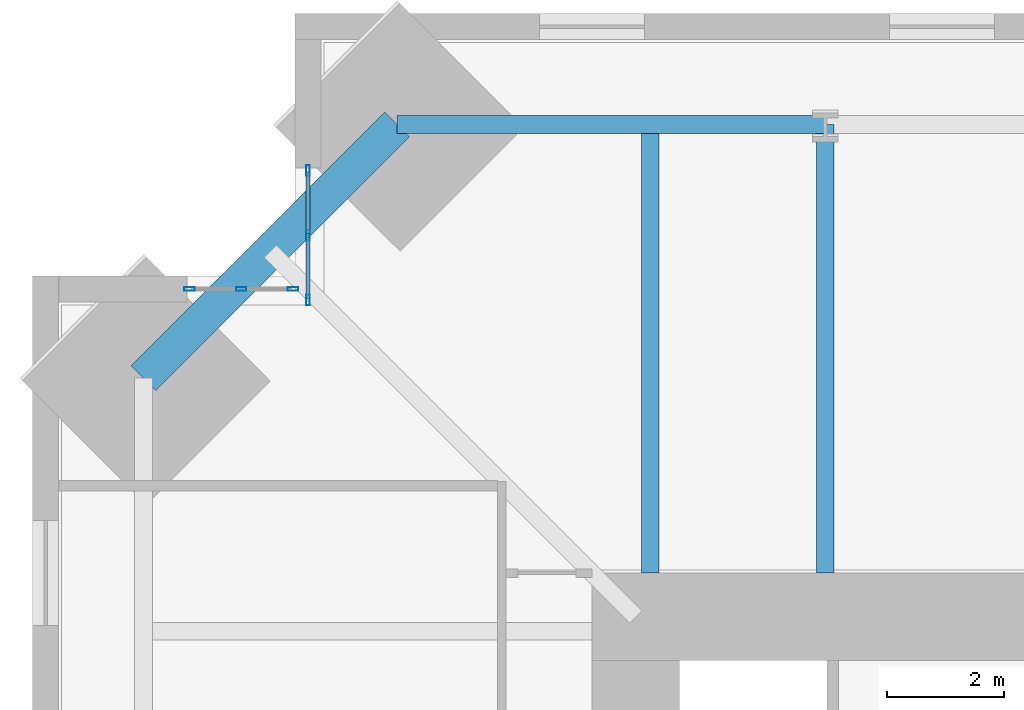
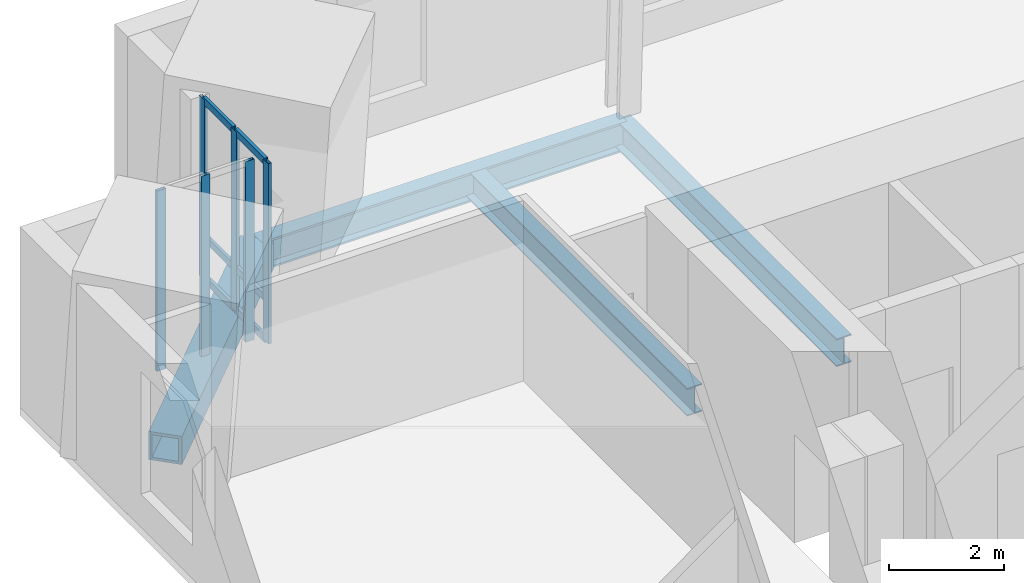
# One storey, part 6 of 16: 12 members, 4 beams, 2 elements without a shape of their own.
"""IFC4 building model written with IfcOpenShell, lengths in metres."""

from ifc_helpers import new_model, si_unit, direction, frame, origin, origin_2d, place, context, subcontext, project, spatial, hollow_rectangle, i_section, extrude, material, material_profile, profile_set, type_object, element, aggregate, save


model = new_model("IFC4")

# Units and contexts
model_context = context("Model", 3, precision=1e-05, world=origin(), true_north=direction((0.0, 1.0)))
body_context = subcontext(model_context, "Body", "Model", "MODEL_VIEW")
ifc_project = project(units=[si_unit("LENGTHUNIT", "METRE"), si_unit("AREAUNIT", "SQUARE_METRE"), si_unit("VOLUMEUNIT", "CUBIC_METRE"), si_unit("PLANEANGLEUNIT", "RADIAN"), si_unit("MASSUNIT", "GRAM", prefix="KILO")], contexts=[model_context])

# Site, building, storey
site_placement = place(None, origin())
site = spatial("IfcSite", under=ifc_project, at=site_placement, CompositionType="ELEMENT")
building_placement = place(site_placement, origin())
building = spatial("IfcBuilding", under=site, at=building_placement, Name="Peilmerk Tower", CompositionType="ELEMENT")
storey_placement = place(building_placement, frame((0.0, 0.0, 277.800048828125)))
storey = spatial("IfcBuildingStorey", under=building, at=storey_placement, Name="L62", CompositionType="ELEMENT", Elevation=277.800048828125)

# Beams
ifc_material_1 = material(Name="Steel S460", Category="steel")
ifc_material_profile_1 = material_profile(ifc_material_1, hollow_rectangle(XDim=0.60009765625, YDim=0.60009765625, WallThickness=0.06005859375, at=origin_2d()), Name="BOX 600x600x60")
ifc_profile_set_1 = profile_set([ifc_material_profile_1], Name="Steel S460")
beam_type_1 = type_object("IfcBeamType", Name="B20 BOX 600x600x60 notch beam", PredefinedType="SPANDREL", material=ifc_profile_set_1)
beam_1_placement = place(storey_placement, frame((-19.695068359375, 15.34521484375, -0.469970703125), z_axis=(0.707106781187, 0.707106781187, 0.0), x_axis=(-0.707106781187, 0.707106781187, 0.0)))
element("IfcBeam", 1, at=beam_1_placement, inside=storey, type_object=beam_type_1, Name="Notch beam L62", PredefinedType="SPANDREL", context=body_context, shape_type="SweptSolid", body=[
    extrude(hollow_rectangle(XDim=0.60009765625, YDim=0.60009765625, WallThickness=0.06005859375, at=origin_2d()), origin(), (0.0, 0.0, 1.0), 6.151611328125),
])
ifc_material_2 = material(Name="Steel S355", Category="steel")
ifc_material_profile_2 = material_profile(ifc_material_2, i_section(OverallWidth=0.300048828125, OverallDepth=0.590087890625, WebThickness=0.012939453125, FlangeThickness=0.02490234375, at=origin_2d()), Name="HEA 600")
ifc_profile_set_2 = profile_set([ifc_material_profile_2], Name="Steel S355")
beam_type_2 = type_object("IfcBeamType", Name="B27 HEA 600 floor beam", PredefinedType="BEAM", material=ifc_profile_set_2)
for number, where, z_axis, x_axis, name in (
    (2, (-8.0, 12.0, -0.465087890625), (0.0, 1.0, 0.0), (-1.0, 0.0, 0.0), "Floor beam L62"),
    (3, (-11.0, 12.0, -0.465087890625), (0.0, 1.0, 0.0), (-1.0, 0.0, 0.0), "Floor beam L62"),
):
    element("IfcBeam", number, at=place(storey_placement, frame(where, z_axis=z_axis, x_axis=x_axis)), inside=storey, type_object=beam_type_2, Name=name, PredefinedType="BEAM", context=body_context, shape_type="SweptSolid", body=[
        extrude(i_section(OverallWidth=0.300048828125, OverallDepth=0.590087890625, WebThickness=0.012939453125, FlangeThickness=0.02490234375, at=origin_2d()), origin(), (0.0, 0.0, 1.0), 7.695068359375),
    ])
ifc_material_profile_3 = material_profile(ifc_material_2, i_section(OverallWidth=0.304931640625, OverallDepth=0.6201171875, WebThickness=0.02099609375, FlangeThickness=0.0400390625, at=origin_2d()), Name="HEM 600")
ifc_profile_set_3 = profile_set([ifc_material_profile_3], Name="Steel S355")
beam_type_3 = type_object("IfcBeamType", Name="B31 HEM 600 edge beam", PredefinedType="SPANDREL", material=ifc_profile_set_3)
beam_2_placement = place(storey_placement, frame((-8.0, 19.695068359375, -0.47998046875), z_axis=(-1.0, 0.0, 0.0), x_axis=(0.0, -1.0, 0.0)))
element("IfcBeam", 4, at=beam_2_placement, inside=storey, type_object=beam_type_3, Name="Edge beam L62", PredefinedType="SPANDREL", context=body_context, shape_type="SweptSolid", body=[
    extrude(i_section(OverallWidth=0.304931640625, OverallDepth=0.6201171875, WebThickness=0.02099609375, FlangeThickness=0.0400390625, at=origin_2d()), origin(), (0.0, 0.0, 1.0), 7.34521484375),
])

# Curtain wall, members
ifc_material_3 = material(Name="Aluminium stick curtain wall", Category="aluminium")
curtain_wall_type = type_object("IfcCurtainWallType", Name="CW4 stick curtain wall, 2250 module", PredefinedType="NOTDEFINED", material=ifc_material_3)
curtain_wall_1_placement = place(storey_placement, origin())
curtain_wall_1 = element("IfcCurtainWall", 5, at=curtain_wall_1_placement, inside=storey, type_object=curtain_wall_type, Name="Curtain wall CW4 NWA L62", PredefinedType="NOTDEFINED")
ifc_material_4 = material(Name="Aluminium EN AW-6063 T6", Category="aluminium")
ifc_material_profile_4 = material_profile(ifc_material_4, hollow_rectangle(XDim=0.06494140625, YDim=0.179931640625, WallThickness=0.0029296875, at=origin_2d()), Name="AL 180x65x3")
ifc_profile_set_4 = profile_set([ifc_material_profile_4], Name="Aluminium EN AW-6063 T6")
member_type_1 = type_object("IfcMemberType", Name="CW4-M AL 180x65x3 mullion", PredefinedType="MULLION", material=ifc_profile_set_4)
member_1_placement = place(storey_placement, frame((-16.875, 16.6826171875, 0.0), z_axis=(0.0, 0.0, 1.0), x_axis=(-1.0, 0.0, 0.0)))
member_1 = element("IfcMember", 6, at=member_1_placement, type_object=member_type_1, Name="CW4 mullion 1", PredefinedType="MULLION", context=body_context, shape_type="SweptSolid", body=[
    extrude(hollow_rectangle(XDim=0.06494140625, YDim=0.179931640625, WallThickness=0.0029296875, at=origin_2d()), origin(), (0.0, 0.0, 1.0), 3.829833984375),
])
member_2_placement = place(storey_placement, frame((-16.875, 17.79443359375, 0.0), z_axis=(0.0, 0.0, 1.0), x_axis=(-1.0, 0.0, 0.0)))
member_2 = element("IfcMember", 7, at=member_2_placement, type_object=member_type_1, Name="CW4 mullion 2", PredefinedType="MULLION", context=body_context, shape_type="SweptSolid", body=[
    extrude(hollow_rectangle(XDim=0.06494140625, YDim=0.179931640625, WallThickness=0.0029296875, at=origin_2d()), origin(), (0.0, 0.0, 1.0), 3.829833984375),
])
member_3_placement = place(storey_placement, frame((-16.875, 18.90625, 0.0), z_axis=(0.0, 0.0, 1.0), x_axis=(-1.0, 0.0, 0.0)))
member_3 = element("IfcMember", 8, at=member_3_placement, type_object=member_type_1, Name="CW4 mullion 3", PredefinedType="MULLION", context=body_context, shape_type="SweptSolid", body=[
    extrude(hollow_rectangle(XDim=0.06494140625, YDim=0.179931640625, WallThickness=0.0029296875, at=origin_2d()), origin(), (0.0, 0.0, 1.0), 3.829833984375),
])

curtain_wall_2_placement = place(storey_placement, origin())
curtain_wall_2 = element("IfcCurtainWall", 9, at=curtain_wall_2_placement, inside=storey, type_object=curtain_wall_type, Name="Curtain wall CW4 NWB L62", PredefinedType="NOTDEFINED")
member_4_placement = place(storey_placement, frame((-17.132568359375, 16.875, 0.0), z_axis=(0.0, 0.0, 1.0), x_axis=(0.0, -1.0, 0.0)))
member_4 = element("IfcMember", 10, at=member_4_placement, type_object=member_type_1, Name="CW4 mullion 1", PredefinedType="MULLION", context=body_context, shape_type="SweptSolid", body=[
    extrude(hollow_rectangle(XDim=0.06494140625, YDim=0.179931640625, WallThickness=0.0029296875, at=origin_2d()), origin(), (0.0, 0.0, 1.0), 3.829833984375),
])
member_5_placement = place(storey_placement, frame((-18.019287109375, 16.875, 0.0), z_axis=(0.0, 0.0, 1.0), x_axis=(0.0, -1.0, 0.0)))
member_5 = element("IfcMember", 11, at=member_5_placement, type_object=member_type_1, Name="CW4 mullion 2", PredefinedType="MULLION", context=body_context, shape_type="SweptSolid", body=[
    extrude(hollow_rectangle(XDim=0.06494140625, YDim=0.179931640625, WallThickness=0.0029296875, at=origin_2d()), origin(), (0.0, 0.0, 1.0), 3.829833984375),
])
member_6_placement = place(storey_placement, frame((-18.90625, 16.875, 0.0), z_axis=(0.0, 0.0, 1.0), x_axis=(0.0, -1.0, 0.0)))
member_6 = element("IfcMember", 12, at=member_6_placement, type_object=member_type_1, Name="CW4 mullion 3", PredefinedType="MULLION", context=body_context, shape_type="SweptSolid", body=[
    extrude(hollow_rectangle(XDim=0.06494140625, YDim=0.179931640625, WallThickness=0.0029296875, at=origin_2d()), origin(), (0.0, 0.0, 1.0), 3.829833984375),
])
aggregate(curtain_wall_2, [member_4, member_5, member_6])

# Member
ifc_material_profile_5 = material_profile(ifc_material_4, hollow_rectangle(XDim=0.06494140625, YDim=0.14990234375, WallThickness=0.0029296875, at=origin_2d()), Name="AL 150x65x3")
ifc_profile_set_5 = profile_set([ifc_material_profile_5], Name="Aluminium EN AW-6063 T6")
member_type_2 = type_object("IfcMemberType", Name="CW4-T AL 150x65x3 transom", PredefinedType="USERDEFINED", material=ifc_profile_set_5)
member_7_placement = place(storey_placement, frame((-16.875, 16.715087890625, 0.032470703125), z_axis=(0.0, 1.0, 0.0), x_axis=(-1.0, 0.0, 0.0)))
member_7 = element("IfcMember", 13, at=member_7_placement, type_object=member_type_2, Name="CW4 transom 1.1", ObjectType="TRANSOM", PredefinedType="USERDEFINED", context=body_context, shape_type="SweptSolid", body=[
    extrude(hollow_rectangle(XDim=0.06494140625, YDim=0.14990234375, WallThickness=0.0029296875, at=origin_2d()), origin(), (0.0, 0.0, 1.0), 1.046630859375),
])

member_8_placement = place(storey_placement, frame((-16.875, 16.715087890625, 0.89990234375), z_axis=(0.0, 1.0, 0.0), x_axis=(-1.0, 0.0, 0.0)))
member_8 = element("IfcMember", 14, at=member_8_placement, type_object=member_type_2, Name="CW4 transom 1.2", ObjectType="TRANSOM", PredefinedType="USERDEFINED", context=body_context, shape_type="SweptSolid", body=[
    extrude(hollow_rectangle(XDim=0.06494140625, YDim=0.14990234375, WallThickness=0.0029296875, at=origin_2d()), origin(), (0.0, 0.0, 1.0), 1.046630859375),
])

member_9_placement = place(storey_placement, frame((-16.875, 16.715087890625, 3.79736328125), z_axis=(0.0, 1.0, 0.0), x_axis=(-1.0, 0.0, 0.0)))
member_9 = element("IfcMember", 15, at=member_9_placement, type_object=member_type_2, Name="CW4 transom 1.3", ObjectType="TRANSOM", PredefinedType="USERDEFINED", context=body_context, shape_type="SweptSolid", body=[
    extrude(hollow_rectangle(XDim=0.06494140625, YDim=0.14990234375, WallThickness=0.0029296875, at=origin_2d()), origin(), (0.0, 0.0, 1.0), 1.046630859375),
])

member_10_placement = place(storey_placement, frame((-16.875, 17.826904296875, 0.032470703125), z_axis=(0.0, 1.0, 0.0), x_axis=(-1.0, 0.0, 0.0)))
member_10 = element("IfcMember", 16, at=member_10_placement, type_object=member_type_2, Name="CW4 transom 2.1", ObjectType="TRANSOM", PredefinedType="USERDEFINED", context=body_context, shape_type="SweptSolid", body=[
    extrude(hollow_rectangle(XDim=0.06494140625, YDim=0.14990234375, WallThickness=0.0029296875, at=origin_2d()), origin(), (0.0, 0.0, 1.0), 1.046875),
])

member_11_placement = place(storey_placement, frame((-16.875, 17.826904296875, 0.89990234375), z_axis=(0.0, 1.0, 0.0), x_axis=(-1.0, 0.0, 0.0)))
member_11 = element("IfcMember", 17, at=member_11_placement, type_object=member_type_2, Name="CW4 transom 2.2", ObjectType="TRANSOM", PredefinedType="USERDEFINED", context=body_context, shape_type="SweptSolid", body=[
    extrude(hollow_rectangle(XDim=0.06494140625, YDim=0.14990234375, WallThickness=0.0029296875, at=origin_2d()), origin(), (0.0, 0.0, 1.0), 1.046875),
])

member_12_placement = place(storey_placement, frame((-16.875, 17.826904296875, 3.79736328125), z_axis=(0.0, 1.0, 0.0), x_axis=(-1.0, 0.0, 0.0)))
member_12 = element("IfcMember", 18, at=member_12_placement, type_object=member_type_2, Name="CW4 transom 2.3", ObjectType="TRANSOM", PredefinedType="USERDEFINED", context=body_context, shape_type="SweptSolid", body=[
    extrude(hollow_rectangle(XDim=0.06494140625, YDim=0.14990234375, WallThickness=0.0029296875, at=origin_2d()), origin(), (0.0, 0.0, 1.0), 1.046875),
])

aggregate(curtain_wall_1, [member_1, member_2, member_3, member_7, member_8, member_9, member_10, member_11, member_12])

save(model, "model.ifc")
